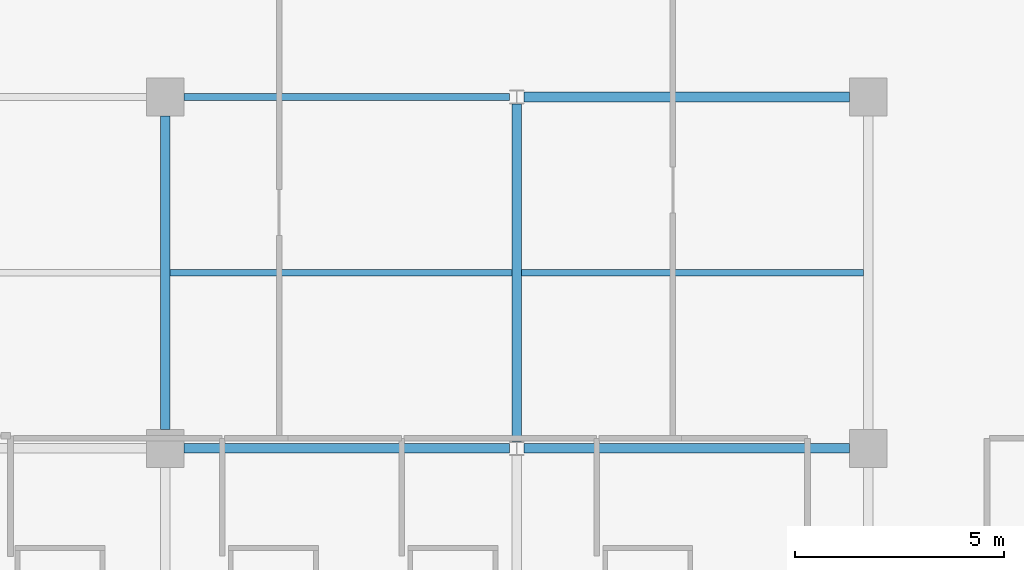
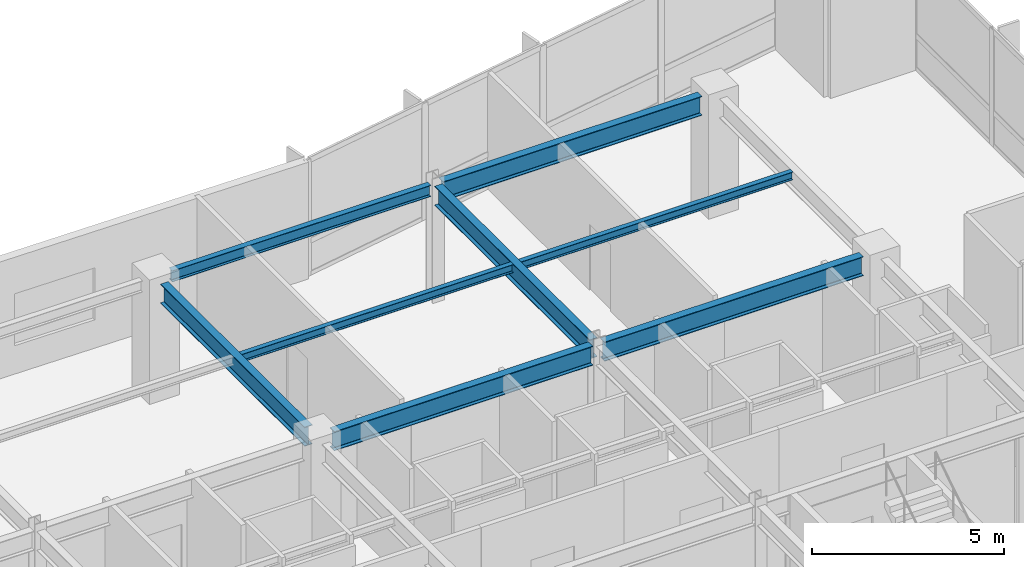
# One storey, part 6 of 21: 8 beams.
"""IFC4 building model written with IfcOpenShell, lengths in metres."""

import ifcopenshell
import ifcopenshell.guid

model = None  # the IFC model being written
_history = None  # IfcOwnerHistory: only IFC2X3 demands one
_inside = {}  # id of a spatial element -> (the spatial element, [elements in it])
_under = {}  # id of a project, library or spatial element -> (it, [spatial elements below it])
_declared = {}  # id of a project -> (the project, [libraries it declares])
_typed = {}  # id of a type object -> (the type object, [elements of that type])
_made_of = {}  # id of a material, layer set ... -> (it, [elements and type objects made of it])


def new_model(schema):
    """Start an empty IFC model of exactly this schema.

    Asked for "IFC4X3", IfcOpenShell would pick the latest addendum, in which some entities
    have other attributes; the version numbers below select the first issue.
    IFC2X3 requires an IfcOwnerHistory on every rooted entity: one is made here for all.
    """
    global model, _history
    if schema == "IFC4X3":
        model = ifcopenshell.file(schema_version=(4, 3, 0, 0))
    else:
        model = ifcopenshell.file(schema=schema)
    _inside.clear()
    _under.clear()
    _declared.clear()
    _typed.clear()
    _made_of.clear()
    _history = None
    if model.schema == "IFC2X3":
        org = make("IfcOrganization", Name="unknown")
        user = make(
            "IfcPersonAndOrganization",
            ThePerson=make("IfcPerson", FamilyName="unknown"),
            TheOrganization=org,
        )
        app = make(
            "IfcApplication",
            ApplicationDeveloper=org,
            Version="unknown",
            ApplicationFullName="unknown",
            ApplicationIdentifier="unknown",
        )
        _history = make(
            "IfcOwnerHistory",
            OwningUser=user,
            OwningApplication=app,
            ChangeAction="ADDED",
            CreationDate=0,
        )
    return model


def make(cls, **values):
    """One entity of the class cls with the attributes given. An attribute that is None is left unset."""
    return model.create_entity(
        cls, **{name: value for name, value in values.items() if value is not None}
    )


def rooted(cls, **values):
    """An entity with a GlobalId (a new one), such as an element, a storey or a relation."""
    return make(cls, GlobalId=ifcopenshell.guid.new(), OwnerHistory=_history, **values)


def si_unit(unit_type, name, prefix=None):
    """IfcSIUnit, for example si_unit("LENGTHUNIT", "METRE", prefix="MILLI")."""
    return make("IfcSIUnit", UnitType=unit_type, Prefix=prefix, Name=name)


def assignment(units):
    """IfcUnitAssignment: the units of a project."""
    return None if units is None else make("IfcUnitAssignment", Units=units)


def point(xyz):
    """IfcCartesianPoint."""
    return None if xyz is None else make("IfcCartesianPoint", Coordinates=xyz)


def direction(xyz):
    """IfcDirection."""
    return None if xyz is None else make("IfcDirection", DirectionRatios=xyz)


def frame(location, z_axis=None, x_axis=None):
    """IfcAxis2Placement3D, a coordinate frame: its origin and axes. An axis left out is left unset."""
    return make(
        "IfcAxis2Placement3D",
        Location=point(location),
        Axis=direction(z_axis),
        RefDirection=direction(x_axis),
    )


def frame_2d(location, x_axis=None):
    """IfcAxis2Placement2D, a coordinate frame in the plane: its origin and x axis."""
    return make(
        "IfcAxis2Placement2D", Location=point(location), RefDirection=direction(x_axis)
    )


def origin():
    """The frame at (0, 0, 0) with its axes left unset."""
    return frame((0.0, 0.0, 0.0))


def origin_2d():
    """The frame at (0, 0) in the plane with its x axis left unset."""
    return frame_2d((0.0, 0.0))


def place(relative_to, where):
    """IfcLocalPlacement: puts the frame where relative to a parent placement (None: the world)."""
    return make(
        "IfcLocalPlacement", PlacementRelTo=relative_to, RelativePlacement=where
    )


def context(
    kind, dimensions, precision=None, world=None, true_north=None, identifier=None
):
    """IfcGeometricRepresentationContext, for example the 3D "Model" context."""
    return make(
        "IfcGeometricRepresentationContext",
        ContextIdentifier=identifier,
        ContextType=kind,
        CoordinateSpaceDimension=dimensions,
        Precision=precision,
        WorldCoordinateSystem=world,
        TrueNorth=true_north,
    )


def subcontext(parent, identifier, kind, view, scale=None):
    """IfcGeometricRepresentationSubContext, for example "Body" below "Model"."""
    return make(
        "IfcGeometricRepresentationSubContext",
        ContextIdentifier=identifier,
        ContextType=kind,
        ParentContext=parent,
        TargetScale=scale,
        TargetView=view,
    )


def project(units=None, contexts=None):
    """IfcProject with its units and contexts."""
    return rooted(
        "IfcProject",
        Name="project",
        RepresentationContexts=contexts,
        UnitsInContext=assignment(units),
    )


def spatial(cls, under=None, at=None, **own):
    """A site, building, storey or space (cls), placed at a placement, below another one or the project."""
    s = rooted(cls, ObjectPlacement=at, **own)
    if under is not None:
        _under.setdefault(under.id(), (under, []))[1].append(s)
    return s


def profile(cls, at=None, kind="AREA", **sizes):
    """A parametric profile (cls). Its sizes go by their IFC names, for example OverallWidth=200.0."""
    return make(cls, ProfileType=kind, Position=at, **sizes)


def i_section(**sizes):
    """IfcIShapeProfileDef."""
    return profile("IfcIShapeProfileDef", **sizes)


def extrude(swept, where, along, depth):
    """IfcExtrudedAreaSolid: the profile swept, set in the frame where, extruded along a direction by depth."""
    return make(
        "IfcExtrudedAreaSolid",
        SweptArea=swept,
        Position=where,
        ExtrudedDirection=direction(along),
        Depth=depth,
    )


def shape(context_of_items, identifier, shape_type, items):
    """IfcShapeRepresentation: the items that make up one representation, for example the "Body"."""
    return make(
        "IfcShapeRepresentation",
        ContextOfItems=context_of_items,
        RepresentationIdentifier=identifier,
        RepresentationType=shape_type,
        Items=items,
    )


def material(Name=None, Category=None):
    """IfcMaterial."""
    return make("IfcMaterial", Name=Name, Category=Category)


def material_profile(
    of_material, cross_section, Name=None, Category=None, Priority=None
):
    """IfcMaterialProfile: a cross section and its material."""
    return make(
        "IfcMaterialProfile",
        Name=Name,
        Material=of_material,
        Profile=cross_section,
        Priority=Priority,
        Category=Category,
    )


def profile_set(profiles, Name=None, composite=None):
    """IfcMaterialProfileSet."""
    return make(
        "IfcMaterialProfileSet",
        Name=Name,
        MaterialProfiles=profiles,
        CompositeProfile=composite,
    )


def made_of(thing, what):
    """Note that an element or type object is made of a material, layer set ...; save() writes the relation."""
    if what is not None:
        _made_of.setdefault(what.id(), (what, []))[1].append(thing)
    return thing


def type_object(cls, material=None, **own):
    """A type object (cls), such as IfcWallType, which elements share."""
    return made_of(rooted(cls, **own), material)


def element(
    cls,
    number,
    at=None,
    inside=None,
    cuts=None,
    type_object=None,
    material=None,
    context=None,
    identifier="Body",
    shape_type=None,
    held_by="IfcProductDefinitionShape",
    body=None,
    shapes=None,
    **own,
):
    """One element of the class cls, such as IfcWall. Its Tag is "e" and its number.

    at: its placement. inside: the storey or other place that contains it. cuts: it is an
    opening in that element (IfcRelVoidsElement). A single representation is given by context,
    identifier, shape_type and body (its items); several are given by shapes. held_by: the class
    of the entity that holds the representations. save() writes the other relations.
    """
    e = rooted(cls, Tag="e%d" % number, ObjectPlacement=at, **own)
    if body is not None:
        shapes = [shape(context, identifier, shape_type, body)]
    if shapes is not None:
        e.Representation = make(held_by, Representations=shapes)
    if inside is not None:
        _inside.setdefault(inside.id(), (inside, []))[1].append(e)
    if cuts is not None:
        rooted(
            "IfcRelVoidsElement", RelatingBuildingElement=cuts, RelatedOpeningElement=e
        )
    if type_object is not None:
        _typed.setdefault(type_object.id(), (type_object, []))[1].append(e)
    return made_of(e, material)


def aggregate(whole, parts):
    """IfcRelAggregates: a whole, such as a stair, and the parts it consists of."""
    return rooted("IfcRelAggregates", RelatingObject=whole, RelatedObjects=parts)


def save(model, path):
    """Write the relations noted so far, then the file.

    IfcRelAggregates (storeys below a building ...), IfcRelContainedInSpatialStructure (elements
    in a storey), IfcRelDefinesByType, IfcRelAssociatesMaterial and IfcRelDeclares: one each for
    every whole, place, type object, material and project.
    """
    for whole, parts in _under.values():
        aggregate(whole, parts)
    for where, things in _inside.values():
        rooted(
            "IfcRelContainedInSpatialStructure",
            RelatedElements=things,
            RelatingStructure=where,
        )
    for kind, things in _typed.values():
        rooted("IfcRelDefinesByType", RelatedObjects=things, RelatingType=kind)
    for what, things in _made_of.values():
        rooted("IfcRelAssociatesMaterial", RelatedObjects=things, RelatingMaterial=what)
    for by, libraries in _declared.values():
        rooted("IfcRelDeclares", RelatingContext=by, RelatedDefinitions=libraries)
    model.write(path)


model = new_model("IFC4")

# Units and contexts
model_context = context("Model", 3, precision=1e-05, world=origin(), true_north=direction((0.0, 1.0)))
body_context = subcontext(model_context, "Body", "Model", "MODEL_VIEW")
ifc_project = project(units=[si_unit("LENGTHUNIT", "METRE"), si_unit("AREAUNIT", "SQUARE_METRE"), si_unit("VOLUMEUNIT", "CUBIC_METRE"), si_unit("PLANEANGLEUNIT", "RADIAN"), si_unit("MASSUNIT", "GRAM", prefix="KILO")], contexts=[model_context])

# Site, building, storey
site_placement = place(None, origin())
site = spatial("IfcSite", under=ifc_project, at=site_placement, CompositionType="ELEMENT")
building_placement = place(site_placement, origin())
building = spatial("IfcBuilding", under=site, at=building_placement, Name="Varnakote Quay Hospital", CompositionType="ELEMENT")
storey_placement = place(building_placement, frame((0.0, 0.0, 38.300048828125)))
storey = spatial("IfcBuildingStorey", under=building, at=storey_placement, Name="L09", CompositionType="ELEMENT", Elevation=38.300048828125)

# Beams
ifc_material_1 = material(Name="Structural steel AS/NZS 3679.1 Grade 350 L0 (fy 340 MPa)", Category="steel")
ifc_material_profile_1 = material_profile(ifc_material_1, i_section(OverallWidth=0.22900390625, OverallDepth=0.612060546875, WebThickness=0.011962890625, FlangeThickness=0.01953125, FilletRadius=0.013916015625, at=origin_2d()), Name="610UB125")
ifc_profile_set_1 = profile_set([ifc_material_profile_1], Name="Structural steel AS/NZS 3679.1 Grade 350 L0 (fy 340 MPa)")
beam_type_1 = type_object("IfcBeamType", Name="BM-STL-610UB125", PredefinedType="BEAM", material=ifc_profile_set_1)
for number, where, z_axis, x_axis, name in (
    (1, (34.050048828125, 20.39990234375, 3.404052734375), (1.0, 0.0, 0.0), (0.0, 1.0, 0.0), "L09 Primary Floor Beam"),
    (2, (42.175048828125, 20.39990234375, 3.404052734375), (1.0, 0.0, 0.0), (0.0, 1.0, 0.0), "L09 Primary Floor Beam"),
    (3, (42.175048828125, 28.800048828125, 3.404052734375), (1.0, 0.0, 0.0), (0.0, 1.0, 0.0), "L09 Primary Floor Beam"),
):
    element("IfcBeam", number, at=place(storey_placement, frame(where, z_axis=z_axis, x_axis=x_axis)), inside=storey, type_object=beam_type_1, Name=name, PredefinedType="BEAM", context=body_context, shape_type="SweptSolid", body=[
        extrude(i_section(OverallWidth=0.22900390625, OverallDepth=0.612060546875, WebThickness=0.011962890625, FlangeThickness=0.01953125, FilletRadius=0.013916015625, at=origin_2d()), origin(), (0.0, 0.0, 1.0), 7.77490234375),
    ])
beam_1_placement = place(storey_placement, frame((33.60009765625, 20.85009765625, 3.404052734375), z_axis=(0.0, 1.0, 0.0), x_axis=(-1.0, 0.0, 0.0)))
element("IfcBeam", 4, at=beam_1_placement, inside=storey, type_object=beam_type_1, Name="L09 Primary Tie Beam", PredefinedType="BEAM", context=body_context, shape_type="SweptSolid", body=[
    extrude(i_section(OverallWidth=0.22900390625, OverallDepth=0.612060546875, WebThickness=0.011962890625, FlangeThickness=0.01953125, FilletRadius=0.013916015625, at=origin_2d()), origin(), (0.0, 0.0, 1.0), 7.5),
])
beam_2_placement = place(storey_placement, frame((42.0, 20.570068359375, 3.404052734375), z_axis=(0.0, 1.0, 0.0), x_axis=(-1.0, 0.0, 0.0)))
element("IfcBeam", 5, at=beam_2_placement, inside=storey, type_object=beam_type_1, Name="L09 Primary Tie Beam", PredefinedType="BEAM", context=body_context, shape_type="SweptSolid", body=[
    extrude(i_section(OverallWidth=0.22900390625, OverallDepth=0.612060546875, WebThickness=0.011962890625, FlangeThickness=0.01953125, FilletRadius=0.013916015625, at=origin_2d()), origin(), (0.0, 0.0, 1.0), 8.059814453125),
])
ifc_material_2 = material(Name="Structural steel AS/NZS 3679.1 Grade 350 L0 (fy 340 MPa)", Category="steel")
ifc_material_profile_2 = material_profile(ifc_material_2, i_section(OverallWidth=0.14599609375, OverallDepth=0.256103515625, WebThickness=0.00634765625, FlangeThickness=0.010986328125, FilletRadius=0.0087890625, at=origin_2d()), Name="250UB37.3")
ifc_profile_set_2 = profile_set([ifc_material_profile_2], Name="Structural steel AS/NZS 3679.1 Grade 350 L0 (fy 340 MPa)")
beam_type_2 = type_object("IfcBeamType", Name="JST-STL-250UB37-3", PredefinedType="JOIST", material=ifc_profile_set_2)
for number, where, z_axis, x_axis, name in (
    (6, (33.714599609375, 24.60009765625, 3.58203125), (1.0, 0.0, 0.0), (0.0, 1.0, 0.0), "L09 Composite Floor Joist"),
    (7, (42.114501953125, 24.60009765625, 3.58203125), (1.0, 0.0, 0.0), (0.0, 1.0, 0.0), "L09 Composite Floor Joist"),
):
    element("IfcBeam", number, at=place(storey_placement, frame(where, z_axis=z_axis, x_axis=x_axis)), inside=storey, type_object=beam_type_2, Name=name, PredefinedType="JOIST", context=body_context, shape_type="SweptSolid", body=[
        extrude(i_section(OverallWidth=0.14599609375, OverallDepth=0.256103515625, WebThickness=0.00634765625, FlangeThickness=0.010986328125, FilletRadius=0.0087890625, at=origin_2d()), origin(), (0.0, 0.0, 1.0), 8.1708984375),
    ])
ifc_material_3 = material(Name="Structural steel AS/NZS 3679.1 Grade 350 L0 (fy 340 MPa)", Category="steel")
ifc_material_profile_3 = material_profile(ifc_material_3, i_section(OverallWidth=0.172119140625, OverallDepth=0.35888671875, WebThickness=0.008056640625, FlangeThickness=0.012939453125, FilletRadius=0.011474609375, at=origin_2d()), Name="360UB56.7")
ifc_profile_set_3 = profile_set([ifc_material_profile_3], Name="Structural steel AS/NZS 3679.1 Grade 350 L0 (fy 340 MPa)")
beam_type_3 = type_object("IfcBeamType", Name="SPN-STL-360UB56-7", PredefinedType="SPANDREL", material=ifc_profile_set_3)
beam_3_placement = place(storey_placement, frame((34.050048828125, 28.800048828125, 3.530517578125), z_axis=(1.0, 0.0, 0.0), x_axis=(0.0, 1.0, 0.0)))
element("IfcBeam", 8, at=beam_3_placement, inside=storey, type_object=beam_type_3, Name="L09 Perimeter Spandrel Beam", PredefinedType="SPANDREL", context=body_context, shape_type="SweptSolid", body=[
    extrude(i_section(OverallWidth=0.172119140625, OverallDepth=0.35888671875, WebThickness=0.008056640625, FlangeThickness=0.012939453125, FilletRadius=0.011474609375, at=origin_2d()), origin(), (0.0, 0.0, 1.0), 7.77490234375),
])

save(model, "model.ifc")
